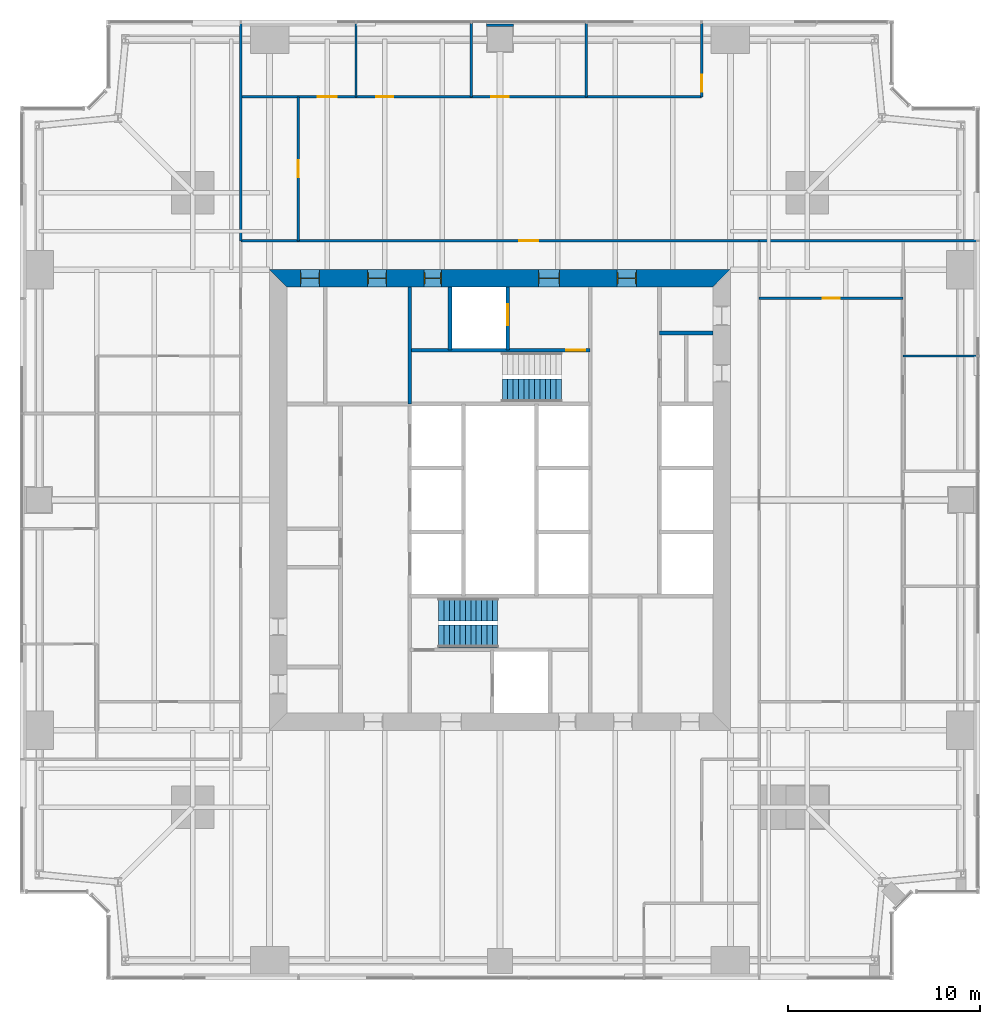
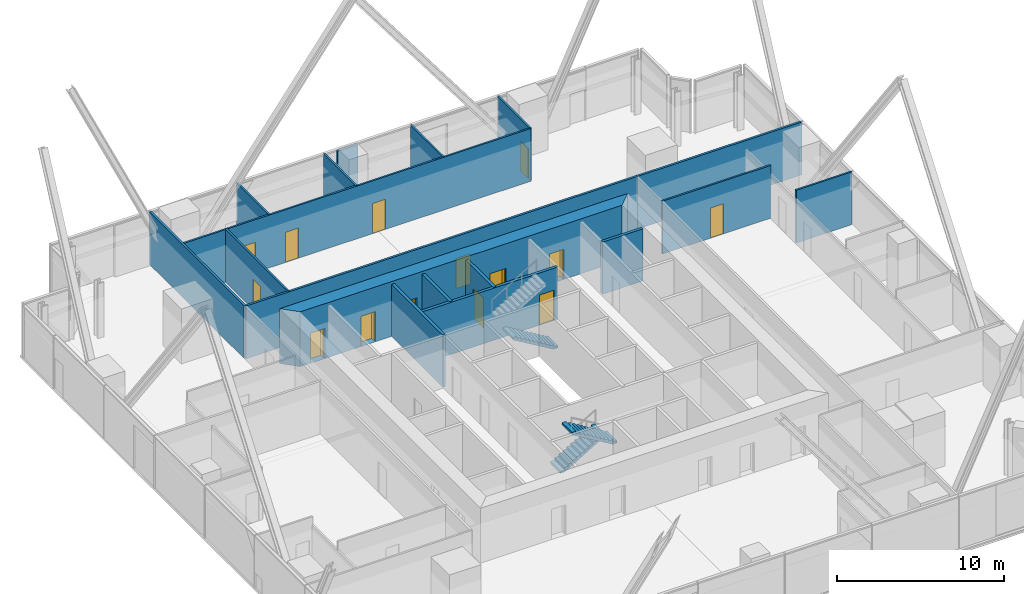
# One storey, part 11 of 14: 18 walls, 14 doors, 3 stair flights, 14 openings, 2 elements without a shape of their own.
"""IFC4 building model written with IfcOpenShell, lengths in metres."""

from ifc_helpers import new_model, si_unit, direction, frame, frame_2d, origin, place, context, subcontext, project, spatial, polyline, rectangle, outline, extrude, material, layer, layer_set, type_object, element, fill, aggregate, save


model = new_model("IFC4")

# Units and contexts
model_context = context("Model", 3, precision=1e-05, world=origin(), true_north=direction((0.0, 1.0)))
body_context = subcontext(model_context, "Body", "Model", "MODEL_VIEW")
ifc_project = project(units=[si_unit("LENGTHUNIT", "METRE"), si_unit("AREAUNIT", "SQUARE_METRE"), si_unit("VOLUMEUNIT", "CUBIC_METRE"), si_unit("PLANEANGLEUNIT", "RADIAN"), si_unit("MASSUNIT", "GRAM", prefix="KILO")], contexts=[model_context])

# Site, building, storey
site_placement = place(None, origin())
site = spatial("IfcSite", under=ifc_project, at=site_placement, CompositionType="ELEMENT")
building_placement = place(site_placement, origin())
building = spatial("IfcBuilding", under=site, at=building_placement, Name="Fenwick Lantern Interchange", CompositionType="ELEMENT")
storey_placement = place(building_placement, frame((0.0, 0.0, 130.39990234375)))
storey = spatial("IfcBuildingStorey", under=building, at=storey_placement, Name="L30", CompositionType="ELEMENT", Elevation=130.39990234375)

# Wall
ifc_material_1 = material(Name="Fire-rated gypsum board encasement on steel studs, 2 hour", Category="steel")
ifc_layer_1 = layer(ifc_material_1, 1.39990234375)
ifc_layer_set_1 = layer_set([ifc_layer_1], Name="COLUMN PIER 1400")
wall_type_1 = type_object("IfcWallType", Name="COLUMN PIER 1400", PredefinedType="PARTITIONING", material=ifc_layer_set_1)
wall_1_placement = place(storey_placement, frame((25.0, 49.800048828125, 0.0), z_axis=(0.0, 0.0, 1.0), x_axis=(0.0, -1.0, 0.0)))
element("IfcWall", 1, at=wall_1_placement, inside=storey, type_object=wall_type_1, Name="L30/W/PIER/CN3", PredefinedType="PARTITIONING", context=body_context, shape_type="SweptSolid", body=[
    extrude(rectangle(XDim=0.150146484375, YDim=1.39990234375, at=frame_2d((0.0751953125, 0.0))), origin(), (0.0, 0.0, 1.0), 3.85009765625),
])

# Wall, opening, door
ifc_material_2 = material(Name="Concrete masonry ASTM C90 Grade N", Category="masonry")
ifc_layer_2 = layer(ifc_material_2, 0.199951171875)
ifc_layer_set_2 = layer_set([ifc_layer_2], Name="Concrete masonry ASTM C90 Grade N")
wall_type_2 = type_object("IfcWallType", Name="CORE PARTITION 200", PredefinedType="PARTITIONING", material=ifc_layer_set_2)
wall_2_placement = place(storey_placement, frame((25.39990234375, 36.10009765625, 0.0), z_axis=(0.0, 0.0, 1.0), x_axis=(0.0, -1.0, 0.0)))
wall_2 = element("IfcWall", 2, at=wall_2_placement, inside=storey, type_object=wall_type_2, Name="L30/W/COREN/h1", PredefinedType="PARTITIONING", context=body_context, shape_type="SweptSolid", body=[
    extrude(rectangle(XDim=3.300048828125, YDim=0.199951171875, at=frame_2d((1.64990234375, 0.0))), origin(), (0.0, 0.0, 1.0), 3.800048828125),
])
opening_1_placement = place(wall_2_placement, frame((0.89990234375, 0.0, 0.0)))
opening_1 = element("IfcOpeningElement", 3, at=opening_1_placement, cuts=wall_2, Name="Opening LD-FL2", PredefinedType="OPENING", context=body_context, shape_type="SweptSolid", body=[
    extrude(rectangle(XDim=1.10009765625, YDim=2.199951171875, at=frame_2d((0.550048828125, 1.10009765625))), frame((0.0, 0.10986328125, 0.0), z_axis=(0.0, -1.0, 0.0), x_axis=(1.0, 0.0, 0.0)), (0.0, 0.0, 1.0), 0.219970703125),
])
ifc_material_3 = material(Name="Steel door and frame", Category="steel")
door_type_1 = type_object("IfcDoorType", Name="LIFT LANDING DOOR 1100 X 2200", OperationType="DOUBLE_DOOR_SLIDING", PredefinedType="DOOR", material=ifc_material_3)
door_1_placement = place(opening_1_placement, origin())
door_1 = element("IfcDoor", 4, at=door_1_placement, inside=storey, type_object=door_type_1, Name="Lift landing door FL2", OperationType="DOUBLE_DOOR_SLIDING", OverallHeight=2.199951171875, OverallWidth=1.10009765625, PredefinedType="DOOR", context=body_context, shape_type="SweptSolid", body=[
    extrude(rectangle(XDim=1.10009765625, YDim=2.199951171875, at=frame_2d((0.550048828125, 1.10009765625))), frame((0.0, 0.02490234375, 0.0), z_axis=(0.0, -1.0, 0.0), x_axis=(1.0, 0.0, 0.0)), (0.0, 0.0, 1.0), 0.050048828125),
])
fill(opening_1, door_1)

# Walls
wall_3_placement = place(storey_placement, frame((22.39990234375, 36.10009765625, 0.0), z_axis=(0.0, 0.0, 1.0), x_axis=(0.0, -1.0, 0.0)))
element("IfcWall", 5, at=wall_3_placement, inside=storey, type_object=wall_type_2, Name="L30/W/COREN/h2", PredefinedType="PARTITIONING", context=body_context, shape_type="SweptSolid", body=[
    extrude(rectangle(XDim=3.300048828125, YDim=0.199951171875, at=frame_2d((1.64990234375, 0.0))), origin(), (0.0, 0.0, 1.0), 3.800048828125),
])
wall_4_placement = place(storey_placement, frame((36.10009765625, 33.699951171875, 0.0), z_axis=(0.0, 0.0, 1.0), x_axis=(-1.0, 0.0, 0.0)))
element("IfcWall", 6, at=wall_4_placement, inside=storey, type_object=wall_type_2, Name="L30/W/COREN/p1", PredefinedType="PARTITIONING", context=body_context, shape_type="SweptSolid", body=[
    extrude(rectangle(XDim=2.800048828125, YDim=0.199951171875, at=frame_2d((1.39990234375, 0.0))), origin(), (0.0, 0.0, 1.0), 3.800048828125),
])

# Wall, openings, doors
ifc_material_4 = material(Name="Concrete f'c 70 MPa", Category="concrete")
ifc_layer_3 = layer(ifc_material_4, 0.89990234375)
ifc_layer_set_3 = layer_set([ifc_layer_3], Name="CORE WALL 900")
wall_type_3 = type_object("IfcWallType", Name="CORE WALL 900", PredefinedType="SHEAR", material=ifc_layer_set_3)
wall_5_placement = place(storey_placement, frame((37.0, 36.550048828125, 0.0), z_axis=(0.0, 0.0, 1.0), x_axis=(-1.0, 0.0, 0.0)))
wall_5 = element("IfcWall", 7, at=wall_5_placement, inside=storey, type_object=wall_type_3, Name="L30/CORE/N", PredefinedType="SHEAR", context=body_context, shape_type="SweptSolid", body=[
    extrude(outline(polyline([(0.0, -0.449951171875), (24.0, -0.449951171875), (23.10009765625, 0.449951171875), (0.89990234375, 0.449951171875), (0.0, -0.449951171875)])), origin(), (0.0, 0.0, 1.0), 4.0),
])
opening_2_placement = place(wall_5_placement, frame((4.89990234375, 0.0, 0.0)))
opening_2 = element("IfcOpeningElement", 8, at=opening_2_placement, cuts=wall_5, Name="Opening L30-D011", PredefinedType="OPENING", context=body_context, shape_type="SweptSolid", body=[
    extrude(rectangle(XDim=1.0, YDim=2.199951171875, at=frame_2d((0.5, 1.10009765625))), frame((0.0, 0.4599609375, 0.0), z_axis=(0.0, -1.0, 0.0), x_axis=(1.0, 0.0, 0.0)), (0.0, 0.0, 1.0), 0.919921875),
])
opening_3_placement = place(wall_5_placement, frame((8.89990234375, 0.0, 0.0)))
opening_3 = element("IfcOpeningElement", 9, at=opening_3_placement, cuts=wall_5, Name="Opening L30-D012", PredefinedType="OPENING", context=body_context, shape_type="SweptSolid", body=[
    extrude(rectangle(XDim=1.10009765625, YDim=2.199951171875, at=frame_2d((0.550048828125, 1.10009765625))), frame((0.0, 0.4599609375, 0.0), z_axis=(0.0, -1.0, 0.0), x_axis=(1.0, 0.0, 0.0)), (0.0, 0.0, 1.0), 0.919921875),
])
opening_4_placement = place(wall_5_placement, frame((15.050048828125, 0.0, 0.0)))
opening_4 = element("IfcOpeningElement", 10, at=opening_4_placement, cuts=wall_5, Name="Opening L30-D014", PredefinedType="OPENING", context=body_context, shape_type="SweptSolid", body=[
    extrude(rectangle(XDim=0.89990234375, YDim=2.199951171875, at=frame_2d((0.449951171875, 1.10009765625))), frame((0.0, 0.4599609375, 0.0), z_axis=(0.0, -1.0, 0.0), x_axis=(1.0, 0.0, 0.0)), (0.0, 0.0, 1.0), 0.919921875),
])
opening_5_placement = place(wall_5_placement, frame((17.89990234375, 0.0, 0.0)))
opening_5 = element("IfcOpeningElement", 11, at=opening_5_placement, cuts=wall_5, Name="Opening L30-D015", PredefinedType="OPENING", context=body_context, shape_type="SweptSolid", body=[
    extrude(rectangle(XDim=1.0, YDim=2.199951171875, at=frame_2d((0.5, 1.10009765625))), frame((0.0, 0.4599609375, 0.0), z_axis=(0.0, -1.0, 0.0), x_axis=(1.0, 0.0, 0.0)), (0.0, 0.0, 1.0), 0.919921875),
])
opening_6_placement = place(wall_5_placement, frame((21.39990234375, 0.0, 0.0)))
opening_6 = element("IfcOpeningElement", 12, at=opening_6_placement, cuts=wall_5, Name="Opening L30-D016", PredefinedType="OPENING", context=body_context, shape_type="SweptSolid", body=[
    extrude(rectangle(XDim=1.0, YDim=2.199951171875, at=frame_2d((0.5, 1.10009765625))), frame((0.0, 0.4599609375, 0.0), z_axis=(0.0, -1.0, 0.0), x_axis=(1.0, 0.0, 0.0)), (0.0, 0.0, 1.0), 0.919921875),
])
door_type_2 = type_object("IfcDoorType", Name="CORE LOBBY DOOR 1000 X 2200", OperationType="SINGLE_SWING_LEFT", PredefinedType="DOOR", material=ifc_material_3)
door_2_placement = place(opening_2_placement, origin())
door_2 = element("IfcDoor", 13, at=door_2_placement, inside=storey, type_object=door_type_2, Name="Core lobby door", OperationType="SINGLE_SWING_LEFT", OverallHeight=2.199951171875, OverallWidth=1.0, PredefinedType="DOOR", context=body_context, shape_type="SweptSolid", body=[
    extrude(rectangle(XDim=1.0, YDim=2.199951171875, at=frame_2d((0.5, 1.10009765625))), frame((0.0, 0.02490234375, 0.0), z_axis=(0.0, -1.0, 0.0), x_axis=(1.0, 0.0, 0.0)), (0.0, 0.0, 1.0), 0.050048828125),
    extrude(outline(polyline([(0.0, 0.0), (0.0400390625, 0.0), (0.0400390625, 2.159912109375), (0.9599609375, 2.159912109375), (0.9599609375, 0.0), (1.0, 0.0), (1.0, 2.199951171875), (0.0, 2.199951171875), (0.0, 0.0)])), frame((0.0, 0.300048828125, 0.0), z_axis=(0.0, -1.0, 0.0), x_axis=(1.0, 0.0, 0.0)), (0.0, 0.0, 1.0), 0.60009765625),
])
fill(opening_2, door_2)
door_type_3 = type_object("IfcDoorType", Name="FIRE LOBBY DOOR 1100 X 2200", OperationType="SINGLE_SWING_LEFT", PredefinedType="DOOR", material=ifc_material_3)
door_3_placement = place(opening_3_placement, origin())
door_3 = element("IfcDoor", 14, at=door_3_placement, inside=storey, type_object=door_type_3, Name="Fire lobby door", OperationType="SINGLE_SWING_LEFT", OverallHeight=2.199951171875, OverallWidth=1.10009765625, PredefinedType="DOOR", context=body_context, shape_type="SweptSolid", body=[
    extrude(rectangle(XDim=1.10009765625, YDim=2.199951171875, at=frame_2d((0.550048828125, 1.10009765625))), frame((0.0, 0.02490234375, 0.0), z_axis=(0.0, -1.0, 0.0), x_axis=(1.0, 0.0, 0.0)), (0.0, 0.0, 1.0), 0.050048828125),
    extrude(outline(polyline([(0.0, 0.0), (0.0400390625, 0.0), (0.0400390625, 2.159912109375), (1.06005859375, 2.159912109375), (1.06005859375, 0.0), (1.10009765625, 0.0), (1.10009765625, 2.199951171875), (0.0, 2.199951171875), (0.0, 0.0)])), frame((0.0, 0.300048828125, 0.0), z_axis=(0.0, -1.0, 0.0), x_axis=(1.0, 0.0, 0.0)), (0.0, 0.0, 1.0), 0.60009765625),
])
fill(opening_3, door_3)
door_type_4 = type_object("IfcDoorType", Name="SERVICE DOOR 900 X 2200", OperationType="SINGLE_SWING_LEFT", PredefinedType="DOOR", material=ifc_material_3)
door_4_placement = place(opening_4_placement, origin())
door_4 = element("IfcDoor", 15, at=door_4_placement, inside=storey, type_object=door_type_4, Name="Service door", OperationType="SINGLE_SWING_LEFT", OverallHeight=2.199951171875, OverallWidth=0.89990234375, PredefinedType="DOOR", context=body_context, shape_type="SweptSolid", body=[
    extrude(rectangle(XDim=0.89990234375, YDim=2.199951171875, at=frame_2d((0.449951171875, 1.10009765625))), frame((0.0, 0.02490234375, 0.0), z_axis=(0.0, -1.0, 0.0), x_axis=(1.0, 0.0, 0.0)), (0.0, 0.0, 1.0), 0.050048828125),
    extrude(outline(polyline([(0.0, 0.0), (0.0400390625, 0.0), (0.0400390625, 2.159912109375), (0.85986328125, 2.159912109375), (0.85986328125, 0.0), (0.89990234375, 0.0), (0.89990234375, 2.199951171875), (0.0, 2.199951171875), (0.0, 0.0)])), frame((0.0, 0.300048828125, 0.0), z_axis=(0.0, -1.0, 0.0), x_axis=(1.0, 0.0, 0.0)), (0.0, 0.0, 1.0), 0.60009765625),
])
fill(opening_4, door_4)
ifc_material_5 = material(Name="Hardwood door and steel frame", Category="steel")
door_type_5 = type_object("IfcDoorType", Name="WC DOOR 1000 X 2200", OperationType="SINGLE_SWING_LEFT", PredefinedType="DOOR", material=ifc_material_5)
door_5_placement = place(opening_5_placement, origin())
door_5 = element("IfcDoor", 16, at=door_5_placement, inside=storey, type_object=door_type_5, Name="Wc door", OperationType="SINGLE_SWING_LEFT", OverallHeight=2.199951171875, OverallWidth=1.0, PredefinedType="DOOR", context=body_context, shape_type="SweptSolid", body=[
    extrude(rectangle(XDim=1.0, YDim=2.199951171875, at=frame_2d((0.5, 1.10009765625))), frame((0.0, 0.02490234375, 0.0), z_axis=(0.0, -1.0, 0.0), x_axis=(1.0, 0.0, 0.0)), (0.0, 0.0, 1.0), 0.050048828125),
    extrude(outline(polyline([(0.0, 0.0), (0.0400390625, 0.0), (0.0400390625, 2.159912109375), (0.9599609375, 2.159912109375), (0.9599609375, 0.0), (1.0, 0.0), (1.0, 2.199951171875), (0.0, 2.199951171875), (0.0, 0.0)])), frame((0.0, 0.300048828125, 0.0), z_axis=(0.0, -1.0, 0.0), x_axis=(1.0, 0.0, 0.0)), (0.0, 0.0, 1.0), 0.60009765625),
])
fill(opening_5, door_5)
door_6_placement = place(opening_6_placement, origin())
door_6 = element("IfcDoor", 17, at=door_6_placement, inside=storey, type_object=door_type_5, Name="Wc door", OperationType="SINGLE_SWING_LEFT", OverallHeight=2.199951171875, OverallWidth=1.0, PredefinedType="DOOR", context=body_context, shape_type="SweptSolid", body=[
    extrude(rectangle(XDim=1.0, YDim=2.199951171875, at=frame_2d((0.5, 1.10009765625))), frame((0.0, 0.02490234375, 0.0), z_axis=(0.0, -1.0, 0.0), x_axis=(1.0, 0.0, 0.0)), (0.0, 0.0, 1.0), 0.050048828125),
    extrude(outline(polyline([(0.0, 0.0), (0.0400390625, 0.0), (0.0400390625, 2.159912109375), (0.9599609375, 2.159912109375), (0.9599609375, 0.0), (1.0, 0.0), (1.0, 2.199951171875), (0.0, 2.199951171875), (0.0, 0.0)])), frame((0.0, 0.300048828125, 0.0), z_axis=(0.0, -1.0, 0.0), x_axis=(1.0, 0.0, 0.0)), (0.0, 0.0, 1.0), 0.60009765625),
])
fill(opening_6, door_6)

# Wall, opening, door
ifc_material_6 = material(Name="Gypsum board on steel studs, 1 hour", Category="steel")
ifc_layer_4 = layer(ifc_material_6, 0.14990234375)
ifc_layer_set_4 = layer_set([ifc_layer_4], Name="CORRIDOR WALL 150")
wall_type_4 = type_object("IfcWallType", Name="CORRIDOR WALL 150", PredefinedType="PARTITIONING", material=ifc_layer_set_4)
wall_6_placement = place(storey_placement, frame((38.5, 38.5, 0.0), z_axis=(0.0, 0.0, 1.0), x_axis=(-1.0, 0.0, 0.0)))
wall_6 = element("IfcWall", 18, at=wall_6_placement, inside=storey, type_object=wall_type_4, Name="L30/W/OFF/N/CW", PredefinedType="PARTITIONING", context=body_context, shape_type="SweptSolid", body=[
    extrude(rectangle(XDim=27.0, YDim=0.14990234375, at=frame_2d((13.5, 0.0))), origin(), (0.0, 0.0, 1.0), 3.85009765625),
])
opening_7_placement = place(wall_6_placement, frame((11.5, 0.0, 0.0)))
opening_7 = element("IfcOpeningElement", 19, at=opening_7_placement, cuts=wall_6, Name="Opening L30-D029", PredefinedType="OPENING", context=body_context, shape_type="SweptSolid", body=[
    extrude(rectangle(XDim=1.0, YDim=2.199951171875, at=frame_2d((0.5, 1.10009765625))), frame((0.0, 0.0849609375, 0.0), z_axis=(0.0, -1.0, 0.0), x_axis=(1.0, 0.0, 0.0)), (0.0, 0.0, 1.0), 0.169921875),
])
door_type_6 = type_object("IfcDoorType", Name="SUITE ENTRANCE DOOR 1000 X 2200", OperationType="SINGLE_SWING_LEFT", PredefinedType="DOOR", material=ifc_material_3)
door_7_placement = place(opening_7_placement, frame((1.0, 0.0, 0.0), z_axis=(0.0, 0.0, 1.0), x_axis=(-1.0, 0.0, 0.0)))
door_7 = element("IfcDoor", 20, at=door_7_placement, inside=storey, type_object=door_type_6, Name="Suite entrance door", OperationType="SINGLE_SWING_LEFT", OverallHeight=2.199951171875, OverallWidth=1.0, PredefinedType="DOOR", context=body_context, shape_type="SweptSolid", body=[
    extrude(rectangle(XDim=1.0, YDim=2.199951171875, at=frame_2d((0.5, 1.10009765625))), frame((0.0, 0.02490234375, 0.0), z_axis=(0.0, -1.0, 0.0), x_axis=(1.0, 0.0, 0.0)), (0.0, 0.0, 1.0), 0.050048828125),
])
fill(opening_7, door_7)

# Wall
ifc_material_7 = material(Name="Gypsum board on steel studs, acoustic", Category="steel")
ifc_layer_5 = layer(ifc_material_7, 0.125)
ifc_layer_set_5 = layer_set([ifc_layer_5], Name="OFFICE PARTITION 125")
wall_type_5 = type_object("IfcWallType", Name="OFFICE PARTITION 125", PredefinedType="PARTITIONING", material=ifc_layer_set_5)
wall_7_placement = place(storey_placement, frame((49.85009765625, 32.5, 0.0), z_axis=(0.0, 0.0, 1.0), x_axis=(-1.0, 0.0, 0.0)))
element("IfcWall", 21, at=wall_7_placement, inside=storey, type_object=wall_type_5, Name="L30/W/OFF/E/X325-1", PredefinedType="PARTITIONING", context=body_context, shape_type="SweptSolid", body=[
    extrude(rectangle(XDim=3.85009765625, YDim=0.125, at=frame_2d((1.925048828125, 0.0))), origin(), (0.0, 0.0, 1.0), 3.85009765625),
])

# Wall, opening, door
wall_8_placement = place(storey_placement, frame((46.0, 35.5, 0.0), z_axis=(0.0, 0.0, 1.0), x_axis=(-1.0, 0.0, 0.0)))
wall_8 = element("IfcWall", 22, at=wall_8_placement, inside=storey, type_object=wall_type_5, Name="L30/W/OFF/E/X355-1", PredefinedType="PARTITIONING", context=body_context, shape_type="SweptSolid", body=[
    extrude(rectangle(XDim=7.5, YDim=0.125, at=frame_2d((3.75, 0.0))), origin(), (0.0, 0.0, 1.0), 3.85009765625),
])
opening_8_placement = place(wall_8_placement, frame((3.300048828125, 0.0, 0.0)))
opening_8 = element("IfcOpeningElement", 23, at=opening_8_placement, cuts=wall_8, Name="Opening L30-D028", PredefinedType="OPENING", context=body_context, shape_type="SweptSolid", body=[
    extrude(rectangle(XDim=0.89990234375, YDim=2.199951171875, at=frame_2d((0.449951171875, 1.10009765625))), frame((0.0, 0.072509765625, 0.0), z_axis=(0.0, -1.0, 0.0), x_axis=(1.0, 0.0, 0.0)), (0.0, 0.0, 1.0), 0.14501953125),
])
door_type_7 = type_object("IfcDoorType", Name="OFFICE DOOR 900 X 2200", OperationType="SINGLE_SWING_LEFT", PredefinedType="DOOR", material=ifc_material_5)
door_8_placement = place(opening_8_placement, frame((0.89990234375, 0.0, 0.0), z_axis=(0.0, 0.0, 1.0), x_axis=(-1.0, 0.0, 0.0)))
door_8 = element("IfcDoor", 24, at=door_8_placement, inside=storey, type_object=door_type_7, Name="Office door", OperationType="SINGLE_SWING_RIGHT", OverallHeight=2.199951171875, OverallWidth=0.89990234375, PredefinedType="DOOR", context=body_context, shape_type="SweptSolid", body=[
    extrude(rectangle(XDim=0.89990234375, YDim=2.199951171875, at=frame_2d((0.449951171875, 1.10009765625))), frame((0.0, 0.02490234375, 0.0), z_axis=(0.0, -1.0, 0.0), x_axis=(1.0, 0.0, 0.0)), (0.0, 0.0, 1.0), 0.050048828125),
])
fill(opening_8, door_8)

wall_9_placement = place(storey_placement, frame((35.5, 49.85009765625, 0.0), z_axis=(0.0, 0.0, 1.0), x_axis=(0.0, -1.0, 0.0)))
wall_9 = element("IfcWall", 25, at=wall_9_placement, inside=storey, type_object=wall_type_5, Name="L30/W/OFF/N/X145-1", PredefinedType="PARTITIONING", context=body_context, shape_type="SweptSolid", body=[
    extrude(rectangle(XDim=3.85009765625, YDim=0.125, at=frame_2d((1.925048828125, 0.0))), origin(), (0.0, 0.0, 1.0), 3.85009765625),
])
opening_9_placement = place(wall_9_placement, frame((2.699951171875, 0.0, 0.0)))
opening_9 = element("IfcOpeningElement", 26, at=opening_9_placement, cuts=wall_9, Name="Opening L30-D030", PredefinedType="OPENING", context=body_context, shape_type="SweptSolid", body=[
    extrude(rectangle(XDim=0.89990234375, YDim=2.199951171875, at=frame_2d((0.449951171875, 1.10009765625))), frame((0.0, 0.072509765625, 0.0), z_axis=(0.0, -1.0, 0.0), x_axis=(1.0, 0.0, 0.0)), (0.0, 0.0, 1.0), 0.14501953125),
])
door_9_placement = place(opening_9_placement, frame((0.89990234375, 0.0, 0.0), z_axis=(0.0, 0.0, 1.0), x_axis=(-1.0, 0.0, 0.0)))
door_9 = element("IfcDoor", 27, at=door_9_placement, inside=storey, type_object=door_type_7, Name="Office door", OperationType="SINGLE_SWING_LEFT", OverallHeight=2.199951171875, OverallWidth=0.89990234375, PredefinedType="DOOR", context=body_context, shape_type="SweptSolid", body=[
    extrude(rectangle(XDim=0.89990234375, YDim=2.199951171875, at=frame_2d((0.449951171875, 1.10009765625))), frame((0.0, 0.02490234375, 0.0), z_axis=(0.0, -1.0, 0.0), x_axis=(1.0, 0.0, 0.0)), (0.0, 0.0, 1.0), 0.050048828125),
])
fill(opening_9, door_9)

# Walls
for number, where, z_axis, x_axis, name in (
    (28, (29.5, 49.85009765625, 0.0), (0.0, 0.0, 1.0), (0.0, -1.0, 0.0), "L30/W/OFF/N/X205-1"),
    (29, (23.5, 49.85009765625, 0.0), (0.0, 0.0, 1.0), (0.0, -1.0, 0.0), "L30/W/OFF/N/X265-1"),
    (30, (17.5, 49.85009765625, 0.0), (0.0, 0.0, 1.0), (0.0, -1.0, 0.0), "L30/W/OFF/N/X325-1"),
):
    element("IfcWall", number, at=place(storey_placement, frame(where, z_axis=z_axis, x_axis=x_axis)), inside=storey, type_object=wall_type_5, Name=name, PredefinedType="PARTITIONING", context=body_context, shape_type="SweptSolid", body=[
        extrude(rectangle(XDim=3.85009765625, YDim=0.125, at=frame_2d((1.925048828125, 0.0))), origin(), (0.0, 0.0, 1.0), 3.85009765625),
    ])

# Wall, opening, door
wall_10_placement = place(storey_placement, frame((14.5, 46.0, 0.0), z_axis=(0.0, 0.0, 1.0), x_axis=(0.0, -1.0, 0.0)))
wall_10 = element("IfcWall", 31, at=wall_10_placement, inside=storey, type_object=wall_type_5, Name="L30/W/OFF/N/X355-1", PredefinedType="PARTITIONING", context=body_context, shape_type="SweptSolid", body=[
    extrude(rectangle(XDim=7.5, YDim=0.125, at=frame_2d((3.75, 0.0))), origin(), (0.0, 0.0, 1.0), 3.85009765625),
])
opening_10_placement = place(wall_10_placement, frame((3.300048828125, 0.0, 0.0)))
opening_10 = element("IfcOpeningElement", 32, at=opening_10_placement, cuts=wall_10, Name="Opening L30-D034", PredefinedType="OPENING", context=body_context, shape_type="SweptSolid", body=[
    extrude(rectangle(XDim=0.89990234375, YDim=2.199951171875, at=frame_2d((0.449951171875, 1.10009765625))), frame((0.0, 0.072509765625, 0.0), z_axis=(0.0, -1.0, 0.0), x_axis=(1.0, 0.0, 0.0)), (0.0, 0.0, 1.0), 0.14501953125),
])
door_10_placement = place(opening_10_placement, frame((0.89990234375, 0.0, 0.0), z_axis=(0.0, 0.0, 1.0), x_axis=(-1.0, 0.0, 0.0)))
door_10 = element("IfcDoor", 33, at=door_10_placement, inside=storey, type_object=door_type_7, Name="Office door", OperationType="SINGLE_SWING_RIGHT", OverallHeight=2.199951171875, OverallWidth=0.89990234375, PredefinedType="DOOR", context=body_context, shape_type="SweptSolid", body=[
    extrude(rectangle(XDim=0.89990234375, YDim=2.199951171875, at=frame_2d((0.449951171875, 1.10009765625))), frame((0.0, 0.02490234375, 0.0), z_axis=(0.0, -1.0, 0.0), x_axis=(1.0, 0.0, 0.0)), (0.0, 0.0, 1.0), 0.050048828125),
])
fill(opening_10, door_10)

# Wall, openings, doors
wall_11_placement = place(storey_placement, frame((35.5, 46.0, 0.0), z_axis=(0.0, 0.0, 1.0), x_axis=(-1.0, 0.0, 0.0)))
wall_11 = element("IfcWall", 34, at=wall_11_placement, inside=storey, type_object=wall_type_5, Name="L30/W/OFF/N/Y40-1", PredefinedType="PARTITIONING", context=body_context, shape_type="SweptSolid", body=[
    extrude(rectangle(XDim=24.0, YDim=0.125, at=frame_2d((12.0, 0.0))), origin(), (0.0, 0.0, 1.0), 3.85009765625),
])
opening_11_placement = place(wall_11_placement, frame((10.050048828125, 0.0, 0.0)))
opening_11 = element("IfcOpeningElement", 35, at=opening_11_placement, cuts=wall_11, Name="Opening L30-D031", PredefinedType="OPENING", context=body_context, shape_type="SweptSolid", body=[
    extrude(rectangle(XDim=0.89990234375, YDim=2.199951171875, at=frame_2d((0.449951171875, 1.10009765625))), frame((0.0, 0.072509765625, 0.0), z_axis=(0.0, -1.0, 0.0), x_axis=(1.0, 0.0, 0.0)), (0.0, 0.0, 1.0), 0.14501953125),
])
opening_12_placement = place(wall_11_placement, frame((16.050048828125, 0.0, 0.0)))
opening_12 = element("IfcOpeningElement", 36, at=opening_12_placement, cuts=wall_11, Name="Opening L30-D032", PredefinedType="OPENING", context=body_context, shape_type="SweptSolid", body=[
    extrude(rectangle(XDim=0.89990234375, YDim=2.199951171875, at=frame_2d((0.449951171875, 1.10009765625))), frame((0.0, 0.072509765625, 0.0), z_axis=(0.0, -1.0, 0.0), x_axis=(1.0, 0.0, 0.0)), (0.0, 0.0, 1.0), 0.14501953125),
])
opening_13_placement = place(wall_11_placement, frame((19.0, 0.0, 0.0)))
opening_13 = element("IfcOpeningElement", 37, at=opening_13_placement, cuts=wall_11, Name="Opening L30-D033", PredefinedType="OPENING", context=body_context, shape_type="SweptSolid", body=[
    extrude(rectangle(XDim=1.0, YDim=2.199951171875, at=frame_2d((0.5, 1.10009765625))), frame((0.0, 0.072509765625, 0.0), z_axis=(0.0, -1.0, 0.0), x_axis=(1.0, 0.0, 0.0)), (0.0, 0.0, 1.0), 0.14501953125),
])
door_type_8 = type_object("IfcDoorType", Name="MEETING ROOM DOOR 1000 X 2200", OperationType="SINGLE_SWING_LEFT", PredefinedType="DOOR", material=ifc_material_5)
door_11_placement = place(opening_13_placement, frame((1.0, 0.0, 0.0), z_axis=(0.0, 0.0, 1.0), x_axis=(-1.0, 0.0, 0.0)))
door_11 = element("IfcDoor", 38, at=door_11_placement, inside=storey, type_object=door_type_8, Name="Meeting room door", OperationType="SINGLE_SWING_RIGHT", OverallHeight=2.199951171875, OverallWidth=1.0, PredefinedType="DOOR", context=body_context, shape_type="SweptSolid", body=[
    extrude(rectangle(XDim=1.0, YDim=2.199951171875, at=frame_2d((0.5, 1.10009765625))), frame((0.0, 0.02490234375, 0.0), z_axis=(0.0, -1.0, 0.0), x_axis=(1.0, 0.0, 0.0)), (0.0, 0.0, 1.0), 0.050048828125),
])
fill(opening_13, door_11)
door_12_placement = place(opening_11_placement, frame((0.89990234375, 0.0, 0.0), z_axis=(0.0, 0.0, 1.0), x_axis=(-1.0, 0.0, 0.0)))
door_12 = element("IfcDoor", 39, at=door_12_placement, inside=storey, type_object=door_type_7, Name="Office door", OperationType="SINGLE_SWING_LEFT", OverallHeight=2.199951171875, OverallWidth=0.89990234375, PredefinedType="DOOR", context=body_context, shape_type="SweptSolid", body=[
    extrude(rectangle(XDim=0.89990234375, YDim=2.199951171875, at=frame_2d((0.449951171875, 1.10009765625))), frame((0.0, 0.02490234375, 0.0), z_axis=(0.0, -1.0, 0.0), x_axis=(1.0, 0.0, 0.0)), (0.0, 0.0, 1.0), 0.050048828125),
])
fill(opening_11, door_12)
door_13_placement = place(opening_12_placement, frame((0.89990234375, 0.0, 0.0), z_axis=(0.0, 0.0, 1.0), x_axis=(-1.0, 0.0, 0.0)))
door_13 = element("IfcDoor", 40, at=door_13_placement, inside=storey, type_object=door_type_7, Name="Office door", OperationType="SINGLE_SWING_LEFT", OverallHeight=2.199951171875, OverallWidth=0.89990234375, PredefinedType="DOOR", context=body_context, shape_type="SweptSolid", body=[
    extrude(rectangle(XDim=0.89990234375, YDim=2.199951171875, at=frame_2d((0.449951171875, 1.10009765625))), frame((0.0, 0.02490234375, 0.0), z_axis=(0.0, -1.0, 0.0), x_axis=(1.0, 0.0, 0.0)), (0.0, 0.0, 1.0), 0.050048828125),
])
fill(opening_12, door_13)

# Wall, opening, door
ifc_material_8 = material(Name="Concrete f'c 45 MPa", Category="concrete")
ifc_layer_6 = layer(ifc_material_8, 0.199951171875)
ifc_layer_set_6 = layer_set([ifc_layer_6], Name="STAIR CORE WALL 200")
wall_type_6 = type_object("IfcWallType", Name="STAIR CORE WALL 200", PredefinedType="SOLIDWALL", material=ifc_layer_set_6)
wall_12_placement = place(storey_placement, frame((29.699951171875, 32.800048828125, 0.0), z_axis=(0.0, 0.0, 1.0), x_axis=(-1.0, 0.0, 0.0)))
wall_12 = element("IfcWall", 41, at=wall_12_placement, inside=storey, type_object=wall_type_6, Name="L30/W/COREN/g1", PredefinedType="SOLIDWALL", context=body_context, shape_type="SweptSolid", body=[
    extrude(rectangle(XDim=9.39990234375, YDim=0.199951171875, at=frame_2d((4.699951171875, 0.0))), origin(), (0.0, 0.0, 1.0), 3.800048828125),
])
opening_14_placement = place(wall_12_placement, frame((0.25, 0.0, 0.0)))
opening_14 = element("IfcOpeningElement", 42, at=opening_14_placement, cuts=wall_12, Name="Opening L30-D013", PredefinedType="OPENING", context=body_context, shape_type="SweptSolid", body=[
    extrude(rectangle(XDim=1.0, YDim=2.199951171875, at=frame_2d((0.5, 1.10009765625))), frame((0.0, 0.10986328125, 0.0), z_axis=(0.0, -1.0, 0.0), x_axis=(1.0, 0.0, 0.0)), (0.0, 0.0, 1.0), 0.219970703125),
])
door_type_9 = type_object("IfcDoorType", Name="STAIR DOOR 1000 X 2200", OperationType="SINGLE_SWING_LEFT", PredefinedType="DOOR", material=ifc_material_3)
door_14_placement = place(opening_14_placement, origin())
door_14 = element("IfcDoor", 43, at=door_14_placement, inside=storey, type_object=door_type_9, Name="Stair door", OperationType="SINGLE_SWING_LEFT", OverallHeight=2.199951171875, OverallWidth=1.0, PredefinedType="DOOR", context=body_context, shape_type="SweptSolid", body=[
    extrude(rectangle(XDim=1.0, YDim=2.199951171875, at=frame_2d((0.5, 1.10009765625))), frame((0.0, 0.02490234375, 0.0), z_axis=(0.0, -1.0, 0.0), x_axis=(1.0, 0.0, 0.0)), (0.0, 0.0, 1.0), 0.050048828125),
])
fill(opening_14, door_14)

# Walls
wall_13_placement = place(storey_placement, frame((20.300048828125, 36.10009765625, 0.0), z_axis=(0.0, 0.0, 1.0), x_axis=(0.0, -1.0, 0.0)))
element("IfcWall", 44, at=wall_13_placement, inside=storey, type_object=wall_type_6, Name="L30/W/COREN/i1", PredefinedType="SOLIDWALL", context=body_context, shape_type="SweptSolid", body=[
    extrude(rectangle(XDim=6.10009765625, YDim=0.199951171875, at=frame_2d((3.050048828125, 0.0))), origin(), (0.0, 0.0, 1.0), 3.800048828125),
])
ifc_material_9 = material(Name="Gypsum board on steel studs, 1 hour acoustic", Category="steel")
ifc_layer_7 = layer(ifc_material_9, 0.14990234375)
ifc_layer_set_7 = layer_set([ifc_layer_7], Name="TENANT WALL 150")
wall_type_7 = type_object("IfcWallType", Name="TENANT WALL 150", PredefinedType="PARTITIONING", material=ifc_layer_set_7)
for number, where, z_axis, x_axis, name in (
    (45, (49.85009765625, 38.5, 0.0), (0.0, 0.0, 1.0), (-1.0, 0.0, 0.0), "L30/W/OFF/N/BACK"),
    (46, (11.5, 49.85009765625, 0.0), (0.0, 0.0, 1.0), (0.0, -1.0, 0.0), "L30/W/OFF/W/BACK"),
):
    element("IfcWall", number, at=place(storey_placement, frame(where, z_axis=z_axis, x_axis=x_axis)), inside=storey, type_object=wall_type_7, Name=name, PredefinedType="PARTITIONING", context=body_context, shape_type="SweptSolid", body=[
        extrude(rectangle(XDim=11.35009765625, YDim=0.14990234375, at=frame_2d((5.675048828125, 0.0))), origin(), (0.0, 0.0, 1.0), 3.85009765625),
    ])

# Stair, stair flights
ifc_material_10 = material(Name="Precast concrete f'c 35 MPa", Category="concrete")
stair_type = type_object("IfcStairType", Name="EXIT STAIR 1200", PredefinedType="HALF_TURN_STAIR", material=ifc_material_10)
stair_1_placement = place(storey_placement, origin())
stair_1 = element("IfcStair", 47, at=stair_1_placement, inside=storey, type_object=stair_type, Name="Exit stair ST1", PredefinedType="HALF_TURN_STAIR")
stair_flight_type = type_object("IfcStairFlightType", Name="STAIR FLIGHT 1200", PredefinedType="STRAIGHT", material=ifc_material_10)
stair_flight_1_placement = place(storey_placement, frame((21.800048828125, 19.300048828125, 0.0), z_axis=(0.0, 0.0, 1.0), x_axis=(1.0, 0.0, 0.0)))
stair_flight_1 = element("IfcStairFlight", 48, at=stair_flight_1_placement, type_object=stair_flight_type, Name="ST1 flight 1", NumberOfRisers=12, NumberOfTreads=11, PredefinedType="STRAIGHT", RiserHeight=0.166666667, TreadLength=0.28, context=body_context, shape_type="SweptSolid", body=[
    extrude(outline(polyline([(0.0, 0.0), (0.0, 0.166748046875), (0.280029296875, 0.166748046875), (0.280029296875, 0.333251953125), (0.56005859375, 0.333251953125), (0.56005859375, 0.5), (0.840087890625, 0.5), (0.840087890625, 0.666748046875), (1.1201171875, 0.666748046875), (1.1201171875, 0.833251953125), (1.39990234375, 0.833251953125), (1.39990234375, 1.0), (1.679931640625, 1.0), (1.679931640625, 1.166748046875), (1.9599609375, 1.166748046875), (1.9599609375, 1.333251953125), (2.239990234375, 1.333251953125), (2.239990234375, 1.5), (2.52001953125, 1.5), (2.52001953125, 1.666748046875), (2.800048828125, 1.666748046875), (2.800048828125, 1.833251953125), (3.080078125, 1.833251953125), (3.080078125, 2.0), (3.080078125, 1.658935546875), (0.29296875, 0.0), (0.0, 0.0)])), frame((0.0, 0.60009765625, 0.0), z_axis=(0.0, -1.0, 0.0), x_axis=(1.0, 0.0, 0.0)), (0.0, 0.0, 1.0), 1.199951171875),
])
stair_flight_2_placement = place(storey_placement, frame((24.8798828125, 17.89990234375, 2.0), z_axis=(0.0, 0.0, 1.0), x_axis=(-1.0, 0.0, 0.0)))
stair_flight_2 = element("IfcStairFlight", 49, at=stair_flight_2_placement, type_object=stair_flight_type, Name="ST1 flight 2", NumberOfRisers=12, NumberOfTreads=11, PredefinedType="STRAIGHT", RiserHeight=0.166666667, TreadLength=0.28, context=body_context, shape_type="SweptSolid", body=[
    extrude(outline(polyline([(0.0, 0.0), (0.0, 0.166748046875), (0.280029296875, 0.166748046875), (0.280029296875, 0.333251953125), (0.56005859375, 0.333251953125), (0.56005859375, 0.5), (0.840087890625, 0.5), (0.840087890625, 0.666748046875), (1.1201171875, 0.666748046875), (1.1201171875, 0.833251953125), (1.39990234375, 0.833251953125), (1.39990234375, 1.0), (1.679931640625, 1.0), (1.679931640625, 1.166748046875), (1.9599609375, 1.166748046875), (1.9599609375, 1.333251953125), (2.239990234375, 1.333251953125), (2.239990234375, 1.5), (2.52001953125, 1.5), (2.52001953125, 1.666748046875), (2.800048828125, 1.666748046875), (2.800048828125, 1.833251953125), (3.080078125, 1.833251953125), (3.080078125, 2.0), (3.080078125, 1.658935546875), (0.29296875, 0.0), (0.0, 0.0)])), frame((0.0, 0.60009765625, 0.0), z_axis=(0.0, -1.0, 0.0), x_axis=(1.0, 0.0, 0.0)), (0.0, 0.0, 1.0), 1.199951171875),
])
aggregate(stair_1, [stair_flight_1, stair_flight_2])

# Stair, stair flight
stair_2_placement = place(storey_placement, origin())
stair_2 = element("IfcStair", 50, at=stair_2_placement, inside=storey, type_object=stair_type, Name="Exit stair ST2", PredefinedType="HALF_TURN_STAIR")
stair_flight_3_placement = place(storey_placement, frame((28.199951171875, 30.699951171875, 0.0), z_axis=(0.0, 0.0, 1.0), x_axis=(-1.0, 0.0, 0.0)))
stair_flight_3 = element("IfcStairFlight", 51, at=stair_flight_3_placement, type_object=stair_flight_type, Name="ST2 flight 1", NumberOfRisers=12, NumberOfTreads=11, PredefinedType="STRAIGHT", RiserHeight=0.166666667, TreadLength=0.28, context=body_context, shape_type="SweptSolid", body=[
    extrude(outline(polyline([(0.0, 0.0), (0.0, 0.166748046875), (0.280029296875, 0.166748046875), (0.280029296875, 0.333251953125), (0.56005859375, 0.333251953125), (0.56005859375, 0.5), (0.840087890625, 0.5), (0.840087890625, 0.666748046875), (1.1201171875, 0.666748046875), (1.1201171875, 0.833251953125), (1.39990234375, 0.833251953125), (1.39990234375, 1.0), (1.679931640625, 1.0), (1.679931640625, 1.166748046875), (1.9599609375, 1.166748046875), (1.9599609375, 1.333251953125), (2.239990234375, 1.333251953125), (2.239990234375, 1.5), (2.52001953125, 1.5), (2.52001953125, 1.666748046875), (2.800048828125, 1.666748046875), (2.800048828125, 1.833251953125), (3.080078125, 1.833251953125), (3.080078125, 2.0), (3.080078125, 1.658935546875), (0.29296875, 0.0), (0.0, 0.0)])), frame((0.0, 0.60009765625, 0.0), z_axis=(0.0, -1.0, 0.0), x_axis=(1.0, 0.0, 0.0)), (0.0, 0.0, 1.0), 1.199951171875),
])
aggregate(stair_2, [stair_flight_3])

save(model, "model.ifc")
